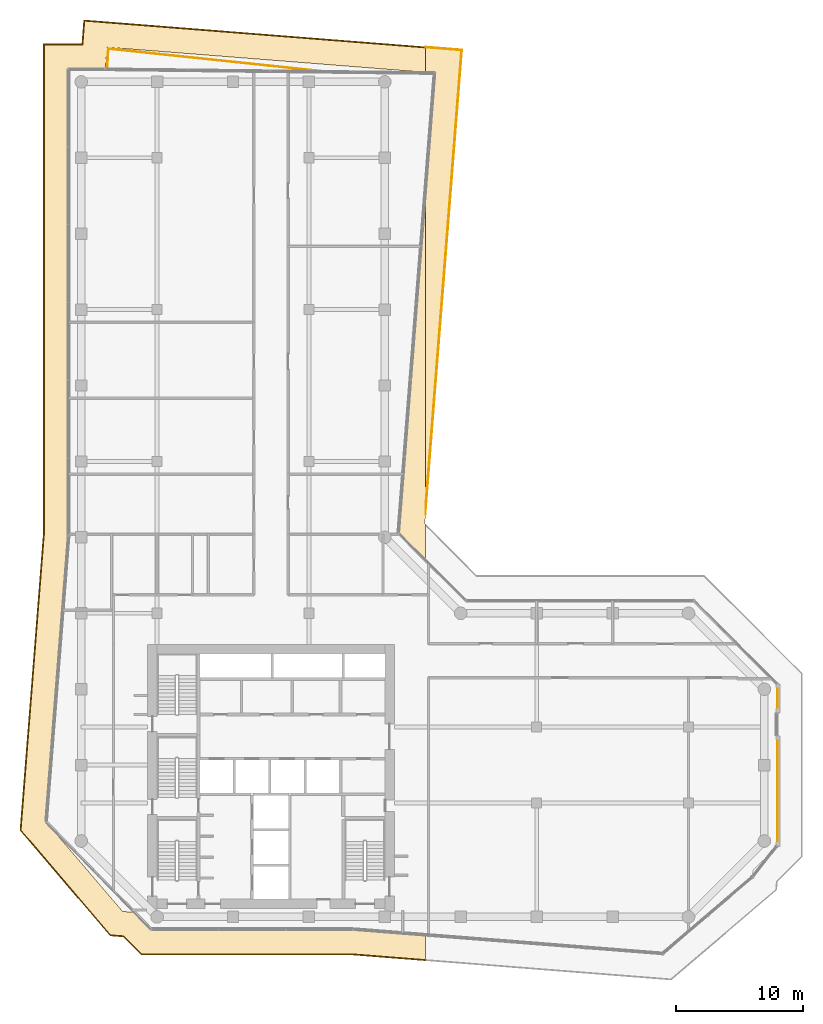
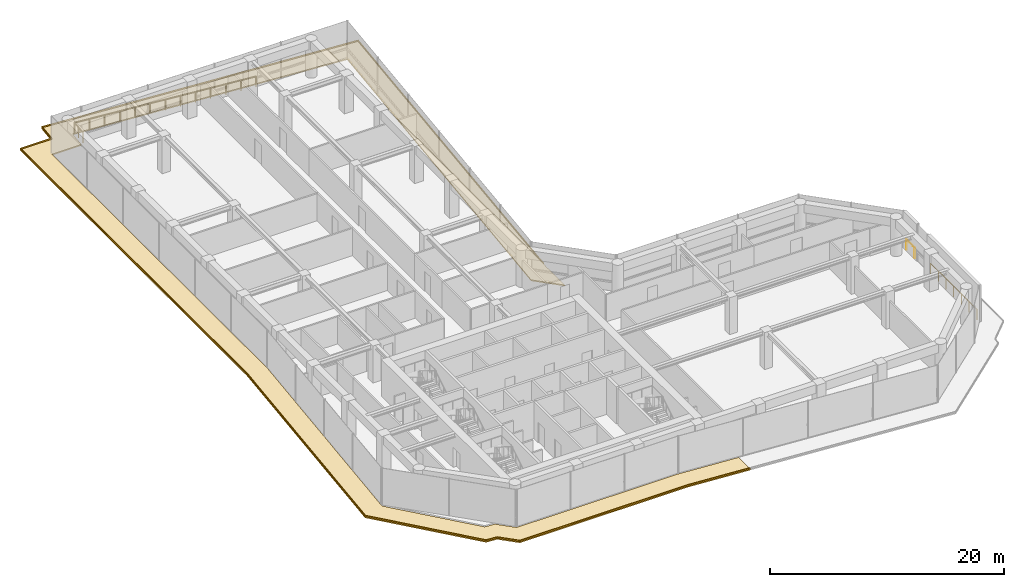
# One storey, part 24 of 24: 5 coverings, 3 railings.
"""IFC4 building model written with IfcOpenShell, lengths in metres."""

from ifc_helpers import new_model, si_unit, direction, frame, origin, origin_2d, place, context, subcontext, project, spatial, polyline, circle, outline, extrude, material, layer, layer_set, type_object, element, save


model = new_model("IFC4")

# Units and contexts
model_context = context("Model", 3, precision=1e-05, world=origin(), true_north=direction((0.0, 1.0)))
body_context = subcontext(model_context, "Body", "Model", "MODEL_VIEW")
ifc_project = project(units=[si_unit("LENGTHUNIT", "METRE"), si_unit("AREAUNIT", "SQUARE_METRE"), si_unit("VOLUMEUNIT", "CUBIC_METRE"), si_unit("PLANEANGLEUNIT", "RADIAN"), si_unit("MASSUNIT", "GRAM", prefix="KILO")], contexts=[model_context])

# Site, building, storey
site_placement = place(None, origin())
site = spatial("IfcSite", under=ifc_project, at=site_placement, CompositionType="ELEMENT")
building_placement = place(site_placement, origin())
building = spatial("IfcBuilding", under=site, at=building_placement, Name="Welwitschia Terrace Campus", CompositionType="ELEMENT")
storey_placement = place(building_placement, frame((0.0, 0.0, 129.800048828125)))
storey = spatial("IfcBuildingStorey", under=building, at=storey_placement, Name="L29", CompositionType="ELEMENT", Elevation=129.800048828125)

# Railings
ifc_material_1 = material(Name="Stainless steel grade 316", Category="steel")
railing_type = type_object("IfcRailingType", Name="Guard 1100", PredefinedType="GUARDRAIL", material=ifc_material_1)
railing_1_placement = place(storey_placement, frame((2.05615234375, 71.02783203125, 0.0)))
element("IfcRailing", 1, at=railing_1_placement, inside=storey, type_object=railing_type, Name="Guard floor edge L29.0", PredefinedType="GUARDRAIL", context=body_context, shape_type="SweptSolid", body=[
    extrude(circle(Radius=0.02392578125, at=origin_2d()), frame((0.0, 0.0, 1.076171875), z_axis=(0.059371199712, 0.998235974429, 0.0), x_axis=(-0.998235974429, 0.059371199712, 0.0)), (0.0, 0.0, 1.0), 1.587158203125),
    extrude(circle(Radius=0.02392578125, at=origin_2d()), frame((0.09423828125, 1.58447265625, 1.076171875), z_axis=(0.994495212395, -0.104782023852, 0.0), x_axis=(0.104782023852, 0.994495212395, 0.0)), (0.0, 0.0, 1.0), 16.990234375),
    extrude(circle(Radius=0.02099609375, at=origin_2d()), origin(), (0.0, 0.0, 1.0), 1.052001953125),
    extrude(circle(Radius=0.02099609375, at=origin_2d()), frame((0.047119140625, 0.792236328125, 0.0)), (0.0, 0.0, 1.0), 1.052001953125),
    extrude(circle(Radius=0.02099609375, at=origin_2d()), frame((0.09423828125, 1.58447265625, 0.0)), (0.0, 0.0, 1.0), 1.052001953125),
    extrude(circle(Radius=0.02099609375, at=origin_2d()), frame((1.502197265625, 1.43603515625, 0.0)), (0.0, 0.0, 1.0), 1.052001953125),
    extrude(circle(Radius=0.02099609375, at=origin_2d()), frame((2.910400390625, 1.287841796875, 0.0)), (0.0, 0.0, 1.0), 1.052001953125),
    extrude(circle(Radius=0.02099609375, at=origin_2d()), frame((4.318359375, 1.139404296875, 0.0)), (0.0, 0.0, 1.0), 1.052001953125),
    extrude(circle(Radius=0.02099609375, at=origin_2d()), frame((5.7265625, 0.990966796875, 0.0)), (0.0, 0.0, 1.0), 1.052001953125),
    extrude(circle(Radius=0.02099609375, at=origin_2d()), frame((7.134521484375, 0.8427734375, 0.0)), (0.0, 0.0, 1.0), 1.052001953125),
    extrude(circle(Radius=0.02099609375, at=origin_2d()), frame((8.54248046875, 0.6943359375, 0.0)), (0.0, 0.0, 1.0), 1.052001953125),
    extrude(circle(Radius=0.02099609375, at=origin_2d()), frame((9.95068359375, 0.5458984375, 0.0)), (0.0, 0.0, 1.0), 1.052001953125),
    extrude(circle(Radius=0.02099609375, at=origin_2d()), frame((11.358642578125, 0.397705078125, 0.0)), (0.0, 0.0, 1.0), 1.052001953125),
    extrude(circle(Radius=0.02099609375, at=origin_2d()), frame((12.766845703125, 0.249267578125, 0.0)), (0.0, 0.0, 1.0), 1.052001953125),
    extrude(circle(Radius=0.02099609375, at=origin_2d()), frame((14.1748046875, 0.100830078125, 0.0)), (0.0, 0.0, 1.0), 1.052001953125),
    extrude(circle(Radius=0.02099609375, at=origin_2d()), frame((15.5830078125, -0.04736328125, 0.0)), (0.0, 0.0, 1.0), 1.052001953125),
    extrude(circle(Radius=0.02099609375, at=origin_2d()), frame((16.990966796875, -0.19580078125, 0.0)), (0.0, 0.0, 1.0), 1.052001953125),
])
railing_2_placement = place(storey_placement, frame((55.030029296875, 17.8896484375, 0.0)))
element("IfcRailing", 2, at=railing_2_placement, inside=storey, type_object=railing_type, Name="Guard floor edge L29.1", PredefinedType="GUARDRAIL", context=body_context, shape_type="SweptSolid", body=[
    extrude(circle(Radius=0.02392578125, at=origin_2d()), frame((0.0, 0.0, 1.076171875), z_axis=(0.0, -1.0, 0.0), x_axis=(1.0, 0.0, 0.0)), (0.0, 0.0, 1.0), 7.892333984375),
    extrude(circle(Radius=0.02099609375, at=origin_2d()), origin(), (0.0, 0.0, 1.0), 1.052001953125),
    extrude(circle(Radius=0.02099609375, at=origin_2d()), frame((0.0, -1.3154296875, 0.0)), (0.0, 0.0, 1.0), 1.052001953125),
    extrude(circle(Radius=0.02099609375, at=origin_2d()), frame((0.0, -2.630859375, 0.0)), (0.0, 0.0, 1.0), 1.052001953125),
    extrude(circle(Radius=0.02099609375, at=origin_2d()), frame((0.0, -3.9462890625, 0.0)), (0.0, 0.0, 1.0), 1.052001953125),
    extrude(circle(Radius=0.02099609375, at=origin_2d()), frame((0.0, -5.261474609375, 0.0)), (0.0, 0.0, 1.0), 1.052001953125),
    extrude(circle(Radius=0.02099609375, at=origin_2d()), frame((0.0, -6.576904296875, 0.0)), (0.0, 0.0, 1.0), 1.052001953125),
    extrude(circle(Radius=0.02099609375, at=origin_2d()), frame((0.0, -7.892333984375, 0.0)), (0.0, 0.0, 1.0), 1.052001953125),
])
railing_3_placement = place(storey_placement, frame((55.030029296875, 22.0029296875, 0.0)))
element("IfcRailing", 3, at=railing_3_placement, inside=storey, type_object=railing_type, Name="Guard floor edge L29.2", PredefinedType="GUARDRAIL", context=body_context, shape_type="SweptSolid", body=[
    extrude(circle(Radius=0.02392578125, at=origin_2d()), frame((0.0, 0.0, 1.076171875), z_axis=(0.0, -1.0, 0.0), x_axis=(1.0, 0.0, 0.0)), (0.0, 0.0, 1.0), 1.4658203125),
    extrude(circle(Radius=0.02099609375, at=origin_2d()), origin(), (0.0, 0.0, 1.0), 1.052001953125),
    extrude(circle(Radius=0.02099609375, at=origin_2d()), frame((0.0, -1.4658203125, 0.0)), (0.0, 0.0, 1.0), 1.052001953125),
])

# Coverings
ifc_material_2 = material(Name="Bronze anodised aluminium", Category="aluminium")
ifc_layer_1 = layer(ifc_material_2, 0.1201171875)
ifc_layer_set_1 = layer_set([ifc_layer_1], Name="Bronze anodised aluminium")
covering_type_1 = type_object("IfcCoveringType", Name="Sunshade band 2000", PredefinedType="USERDEFINED", material=ifc_layer_set_1)
covering_1_placement = place(storey_placement, frame((0.0, 0.0, -0.25)))
element("IfcCovering", 4, at=covering_1_placement, inside=storey, type_object=covering_type_1, Name="SUNSHADE L29.SW0", ObjectType="SUNSHADE", PredefinedType="USERDEFINED", context=body_context, shape_type="SweptSolid", body=[
    extrude(outline(polyline([(0.054443359375, 73.0), (0.203369140625, 74.89208984375), (27.2216796875, 72.765625), (27.2216796875, 70.759521484375), (2.040283203125, 72.7412109375), (1.9033203125, 71.0), (-1.0, 71.0), (-1.0, 34.110595703125), (-2.7783203125, 11.516357421875), (3.2705078125, 4.43408203125), (4.226806640625, 4.35888671875), (5.585693359375, 3.0), (21.4931640625, 3.0), (27.2216796875, 2.549072265625), (27.2216796875, 0.54296875), (21.41455078125, 1.0), (4.75732421875, 1.0), (3.33447265625, 2.4228515625), (2.287841796875, 2.50537109375), (-4.8369140625, 10.847412109375), (-3.0, 34.189208984375), (-3.0, 73.0), (0.054443359375, 73.0)])), origin(), (0.0, 0.0, 1.0), 0.119873046875),
])
covering_2_placement = place(storey_placement, frame((0.0, 0.0, -0.25)))
element("IfcCovering", 5, at=covering_2_placement, inside=storey, type_object=covering_type_1, Name="SUNSHADE L29.SW1", ObjectType="SUNSHADE", PredefinedType="USERDEFINED", context=body_context, shape_type="SweptSolid", body=[
    extrude(outline(polyline([(27.162841796875, 35.079833984375), (27.2216796875, 35.020751953125), (27.2216796875, 32.1923828125), (25.0966796875, 34.3173828125), (27.2216796875, 61.319580078125), (27.2216796875, 35.82861328125), (27.162841796875, 35.079833984375)])), origin(), (0.0, 0.0, 1.0), 0.119873046875),
])
covering_3_placement = place(storey_placement, frame((0.0, 0.0, -0.25)))
element("IfcCovering", 6, at=covering_3_placement, inside=storey, type_object=covering_type_1, Name="SUNSHADE L29.SE0", ObjectType="SUNSHADE", PredefinedType="USERDEFINED", context=body_context, shape_type="SweptSolid", body=[
    extrude(outline(polyline([(30.11083984375, 72.5380859375), (27.2216796875, 35.82861328125), (27.2216796875, 61.319580078125), (27.960205078125, 70.701416015625), (27.2216796875, 70.759521484375), (27.2216796875, 72.765625), (30.11083984375, 72.5380859375)])), origin(), (0.0, 0.0, 1.0), 0.119873046875),
])
ifc_material_3 = material(Name="Bronze anodised aluminium", Category="aluminium")
ifc_layer_2 = layer(ifc_material_3, 0.06005859375)
ifc_layer_set_2 = layer_set([ifc_layer_2], Name="Bronze anodised aluminium")
covering_type_2 = type_object("IfcCoveringType", Name="Sunshade lip 60", PredefinedType="USERDEFINED", material=ifc_layer_set_2)
covering_4_placement = place(storey_placement, frame((0.0, 0.0, -0.130126953125)))
element("IfcCovering", 7, at=covering_4_placement, inside=storey, type_object=covering_type_2, Name="SUNSHADE LIP L29.SW0.0", ObjectType="SUNSHADE", PredefinedType="USERDEFINED", context=body_context, shape_type="SweptSolid", body=[
    extrude(outline(polyline([(0.203369140625, 74.89208984375), (27.2216796875, 72.765625), (27.2216796875, 72.705322265625), (0.258544921875, 74.827392578125), (0.10986328125, 72.93994140625), (-2.93994140625, 72.93994140625), (-2.93994140625, 34.186767578125), (-4.775390625, 10.867431640625), (2.3173828125, 2.563232421875), (3.361083984375, 2.48095703125), (4.7822265625, 1.06005859375), (21.4169921875, 1.06005859375), (27.2216796875, 0.60302734375), (27.2216796875, 0.54296875), (21.41455078125, 1.0), (4.75732421875, 1.0), (3.33447265625, 2.4228515625), (2.287841796875, 2.50537109375), (-4.8369140625, 10.847412109375), (-3.0, 34.189208984375), (-3.0, 73.0), (0.054443359375, 73.0), (0.203369140625, 74.89208984375)])), origin(), (0.0, 0.0, 1.0), 0.130126953125),
])
covering_5_placement = place(storey_placement, frame((0.0, 0.0, -0.130126953125)))
element("IfcCovering", 8, at=covering_5_placement, inside=storey, type_object=covering_type_2, Name="SUNSHADE LIP L29.SE0.0", ObjectType="SUNSHADE", PredefinedType="USERDEFINED", context=body_context, shape_type="SweptSolid", body=[
    extrude(outline(polyline([(27.2216796875, 35.82861328125), (27.2216796875, 36.593505859375), (30.04638671875, 72.483154296875), (27.2216796875, 72.705322265625), (27.2216796875, 72.765625), (30.11083984375, 72.5380859375), (27.2216796875, 35.82861328125)])), origin(), (0.0, 0.0, 1.0), 0.130126953125),
])

save(model, "model.ifc")
